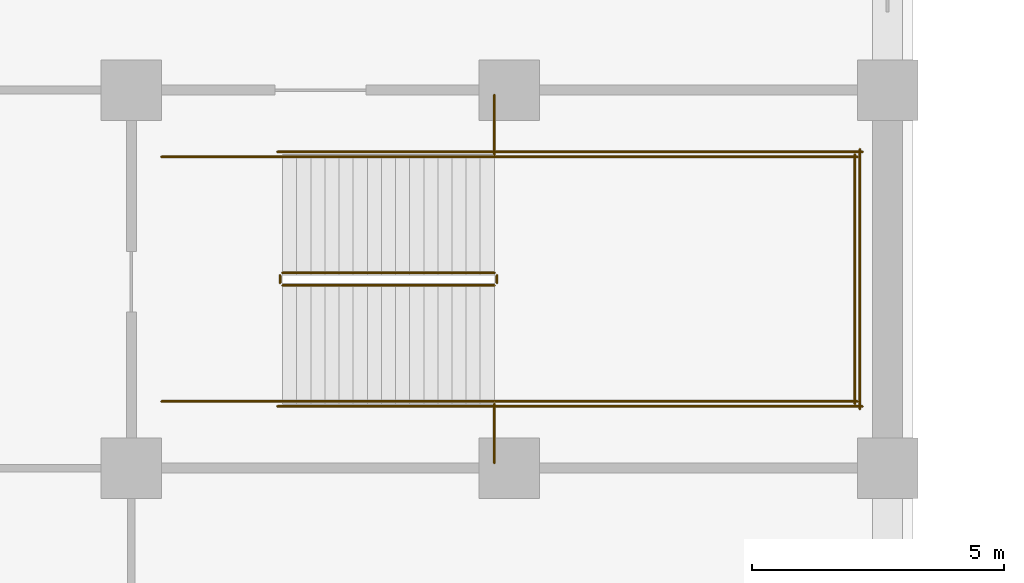
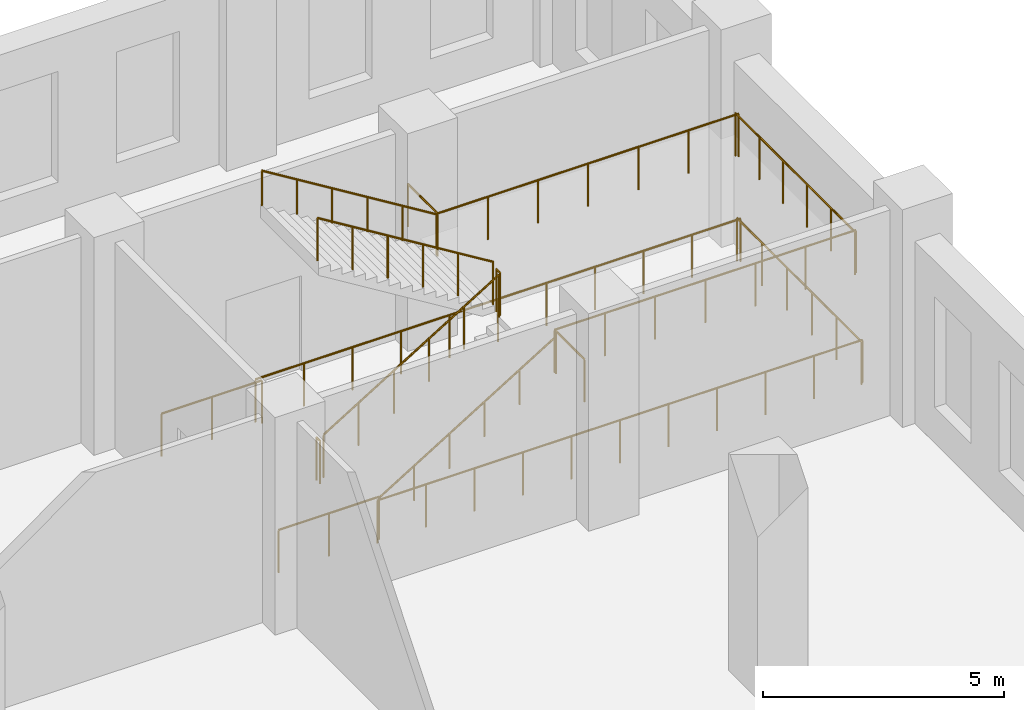
# One storey, part 24 of 25: 16 railings.
"""IFC4 building model written with IfcOpenShell, lengths in metres."""

from ifc_helpers import new_model, si_unit, direction, frame, origin, origin_2d, place, context, subcontext, project, spatial, circle, extrude, material, type_object, element, save


model = new_model("IFC4")

# Units and contexts
model_context = context("Model", 3, precision=1e-05, world=origin(), true_north=direction((0.0, 1.0)))
body_context = subcontext(model_context, "Body", "Model", "MODEL_VIEW")
ifc_project = project(units=[si_unit("LENGTHUNIT", "METRE"), si_unit("AREAUNIT", "SQUARE_METRE"), si_unit("VOLUMEUNIT", "CUBIC_METRE"), si_unit("PLANEANGLEUNIT", "RADIAN"), si_unit("MASSUNIT", "GRAM", prefix="KILO")], contexts=[model_context])

# Site, building, storey
site_placement = place(None, origin())
site = spatial("IfcSite", under=ifc_project, at=site_placement, CompositionType="ELEMENT")
building_placement = place(site_placement, origin())
building = spatial("IfcBuilding", under=site, at=building_placement, Name="Tamorin Gate", CompositionType="ELEMENT")
storey_placement = place(building_placement, frame((0.0, 0.0, 23.5)))
storey = spatial("IfcBuildingStorey", under=building, at=storey_placement, Name="L04", CompositionType="ELEMENT", Elevation=23.5)

# Railings
ifc_material = material(Name="Steel", Category="steel")
railing_type_1 = type_object("IfcRailingType", Name="Podium guard 1100", PredefinedType="GUARDRAIL", material=ifc_material)
railing_1_placement = place(storey_placement, frame((100.0, 100.625, 0.171875)))
element("IfcRailing", 1, at=railing_1_placement, inside=storey, type_object=railing_type_1, Name="L04 PS4 stair guard 1", PredefinedType="GUARDRAIL", context=body_context, shape_type="SweptSolid", body=[
    extrude(circle(Radius=0.02392578125, at=origin_2d()), frame((0.0, 0.0, 1.076171875), z_axis=(0.852242915053, 0.0, 0.523146264196), x_axis=(0.0, 1.0, 0.0)), (0.0, 0.0, 1.0), 4.92822265625),
    extrude(circle(Radius=0.02099609375, at=origin_2d()), origin(), (0.0, 0.0, 1.0), 1.052001953125),
    extrude(circle(Radius=0.02099609375, at=origin_2d()), frame((0.840087890625, 0.0, 0.515625)), (0.0, 0.0, 1.0), 1.052001953125),
    extrude(circle(Radius=0.02099609375, at=origin_2d()), frame((1.679931640625, 0.0, 1.03125)), (0.0, 0.0, 1.0), 1.052001953125),
    extrude(circle(Radius=0.02099609375, at=origin_2d()), frame((2.52001953125, 0.0, 1.546875)), (0.0, 0.0, 1.0), 1.052001953125),
    extrude(circle(Radius=0.02099609375, at=origin_2d()), frame((3.35986328125, 0.0, 2.0625)), (0.0, 0.0, 1.0), 1.052001953125),
    extrude(circle(Radius=0.02099609375, at=origin_2d()), frame((4.199951171875, 0.0, 2.578125)), (0.0, 0.0, 1.0), 1.052001953125),
])
railing_2_placement = place(storey_placement, frame((104.25, 100.675048828125, 2.75)))
element("IfcRailing", 2, at=railing_2_placement, inside=storey, type_object=railing_type_1, Name="L04 PS4 stair guard 2", PredefinedType="GUARDRAIL", context=body_context, shape_type="SweptSolid", body=[
    extrude(circle(Radius=0.02392578125, at=origin_2d()), frame((0.0, 0.0, 1.076171875), z_axis=(0.0, 1.0, 0.0), x_axis=(-1.0, 0.0, 0.0)), (0.0, 0.0, 1.0), 0.14990234375),
    extrude(circle(Radius=0.02099609375, at=origin_2d()), origin(), (0.0, 0.0, 1.0), 1.052001953125),
    extrude(circle(Radius=0.02099609375, at=origin_2d()), frame((0.0, 0.14990234375, 0.0)), (0.0, 0.0, 1.0), 1.052001953125),
])
for number, where, name in (
    (3, (104.199951171875, 98.324951171875, 2.75), "L04 PS4 stair guard 3"),
    (4, (104.199951171875, 103.175048828125, 2.75), "L04 PS4 stair guard 4"),
):
    element("IfcRailing", number, at=place(storey_placement, frame(where)), inside=storey, type_object=railing_type_1, Name=name, PredefinedType="GUARDRAIL", context=body_context, shape_type="SweptSolid", body=[
        extrude(circle(Radius=0.02392578125, at=origin_2d()), frame((0.0, 0.0, 1.076171875), z_axis=(1.0, 0.0, 0.0), x_axis=(0.0, 1.0, 0.0)), (0.0, 0.0, 1.0), 7.199951171875),
        extrude(circle(Radius=0.02099609375, at=origin_2d()), origin(), (0.0, 0.0, 1.0), 1.052001953125),
        extrude(circle(Radius=0.02099609375, at=origin_2d()), frame((1.199951171875, 0.0, 0.0)), (0.0, 0.0, 1.0), 1.052001953125),
        extrude(circle(Radius=0.02099609375, at=origin_2d()), frame((2.39990234375, 0.0, 0.0)), (0.0, 0.0, 1.0), 1.052001953125),
        extrude(circle(Radius=0.02099609375, at=origin_2d()), frame((3.60009765625, 0.0, 0.0)), (0.0, 0.0, 1.0), 1.052001953125),
        extrude(circle(Radius=0.02099609375, at=origin_2d()), frame((4.800048828125, 0.0, 0.0)), (0.0, 0.0, 1.0), 1.052001953125),
        extrude(circle(Radius=0.02099609375, at=origin_2d()), frame((6.0, 0.0, 0.0)), (0.0, 0.0, 1.0), 1.052001953125),
        extrude(circle(Radius=0.02099609375, at=origin_2d()), frame((7.199951171875, 0.0, 0.0)), (0.0, 0.0, 1.0), 1.052001953125),
    ])
railing_3_placement = place(storey_placement, frame((111.35009765625, 98.27490234375, 2.75)))
element("IfcRailing", 5, at=railing_3_placement, inside=storey, type_object=railing_type_1, Name="L04 PS4 stair guard 5", PredefinedType="GUARDRAIL", context=body_context, shape_type="SweptSolid", body=[
    extrude(circle(Radius=0.02392578125, at=origin_2d()), frame((0.0, 0.0, 1.076171875), z_axis=(0.0, 1.0, 0.0), x_axis=(-1.0, 0.0, 0.0)), (0.0, 0.0, 1.0), 4.9501953125),
    extrude(circle(Radius=0.02099609375, at=origin_2d()), origin(), (0.0, 0.0, 1.0), 1.052001953125),
    extrude(circle(Radius=0.02099609375, at=origin_2d()), frame((0.0, 0.989990234375, 0.0)), (0.0, 0.0, 1.0), 1.052001953125),
    extrude(circle(Radius=0.02099609375, at=origin_2d()), frame((0.0, 1.97998046875, 0.0)), (0.0, 0.0, 1.0), 1.052001953125),
    extrude(circle(Radius=0.02099609375, at=origin_2d()), frame((0.0, 2.97021484375, 0.0)), (0.0, 0.0, 1.0), 1.052001953125),
    extrude(circle(Radius=0.02099609375, at=origin_2d()), frame((0.0, 3.960205078125, 0.0)), (0.0, 0.0, 1.0), 1.052001953125),
    extrude(circle(Radius=0.02099609375, at=origin_2d()), frame((0.0, 4.9501953125, 0.0)), (0.0, 0.0, 1.0), 1.052001953125),
])
railing_4_placement = place(storey_placement, frame((104.199951171875, 100.875, 2.921875)))
element("IfcRailing", 6, at=railing_4_placement, inside=storey, type_object=railing_type_1, Name="L04 PS4 stair guard 6", PredefinedType="GUARDRAIL", context=body_context, shape_type="SweptSolid", body=[
    extrude(circle(Radius=0.02392578125, at=origin_2d()), frame((0.0, 0.0, 1.076171875), z_axis=(-0.852242915053, 0.0, 0.523146264196), x_axis=(0.0, -1.0, 0.0)), (0.0, 0.0, 1.0), 4.92822265625),
    extrude(circle(Radius=0.02099609375, at=origin_2d()), origin(), (0.0, 0.0, 1.0), 1.052001953125),
    extrude(circle(Radius=0.02099609375, at=origin_2d()), frame((-0.840087890625, 0.0, 0.515625)), (0.0, 0.0, 1.0), 1.052001953125),
    extrude(circle(Radius=0.02099609375, at=origin_2d()), frame((-1.679931640625, 0.0, 1.03125)), (0.0, 0.0, 1.0), 1.052001953125),
    extrude(circle(Radius=0.02099609375, at=origin_2d()), frame((-2.52001953125, 0.0, 1.546875)), (0.0, 0.0, 1.0), 1.052001953125),
    extrude(circle(Radius=0.02099609375, at=origin_2d()), frame((-3.35986328125, 0.0, 2.0625)), (0.0, 0.0, 1.0), 1.052001953125),
    extrude(circle(Radius=0.02099609375, at=origin_2d()), frame((-4.199951171875, 0.0, 2.578125)), (0.0, 0.0, 1.0), 1.052001953125),
])
railing_5_placement = place(storey_placement, frame((99.949951171875, 100.675048828125, 0.0)))
element("IfcRailing", 7, at=railing_5_placement, inside=storey, type_object=railing_type_1, Name="L04 PS4 stair guard 7", PredefinedType="GUARDRAIL", context=body_context, shape_type="SweptSolid", body=[
    extrude(circle(Radius=0.02392578125, at=origin_2d()), frame((0.0, 0.0, 1.076171875), z_axis=(0.0, 1.0, 0.0), x_axis=(-1.0, 0.0, 0.0)), (0.0, 0.0, 1.0), 0.14990234375),
    extrude(circle(Radius=0.02099609375, at=origin_2d()), origin(), (0.0, 0.0, 1.0), 1.052001953125),
    extrude(circle(Radius=0.02099609375, at=origin_2d()), frame((0.0, 0.14990234375, 0.0)), (0.0, 0.0, 1.0), 1.052001953125),
])
for number, where, name in (
    (8, (97.60009765625, 98.324951171875, 0.0), "L04 PS4 stair guard 8"),
    (9, (97.60009765625, 103.175048828125, 0.0), "L04 PS4 stair guard 9"),
):
    element("IfcRailing", number, at=place(storey_placement, frame(where)), inside=storey, type_object=railing_type_1, Name=name, PredefinedType="GUARDRAIL", context=body_context, shape_type="SweptSolid", body=[
        extrude(circle(Radius=0.02392578125, at=origin_2d()), frame((0.0, 0.0, 1.076171875), z_axis=(1.0, 0.0, 0.0), x_axis=(0.0, 1.0, 0.0)), (0.0, 0.0, 1.0), 2.39990234375),
        extrude(circle(Radius=0.02099609375, at=origin_2d()), origin(), (0.0, 0.0, 1.0), 1.052001953125),
        extrude(circle(Radius=0.02099609375, at=origin_2d()), frame((1.199951171875, 0.0, 0.0)), (0.0, 0.0, 1.0), 1.052001953125),
        extrude(circle(Radius=0.02099609375, at=origin_2d()), frame((2.39990234375, 0.0, 0.0)), (0.0, 0.0, 1.0), 1.052001953125),
    ])
for number, where, name in (
    (10, (99.89990234375, 98.22509765625, 0.0), "L04 PS4 stair guard 10"),
    (11, (99.89990234375, 103.27490234375, 0.0), "L04 PS4 stair guard 11"),
):
    element("IfcRailing", number, at=place(storey_placement, frame(where)), inside=storey, type_object=railing_type_1, Name=name, PredefinedType="GUARDRAIL", context=body_context, shape_type="SweptSolid", body=[
        extrude(circle(Radius=0.02392578125, at=origin_2d()), frame((0.0, 0.0, 1.076171875), z_axis=(1.0, 0.0, 0.0), x_axis=(0.0, 1.0, 0.0)), (0.0, 0.0, 1.0), 11.60009765625),
        extrude(circle(Radius=0.02099609375, at=origin_2d()), origin(), (0.0, 0.0, 1.0), 1.052001953125),
        extrude(circle(Radius=0.02099609375, at=origin_2d()), frame((1.159912109375, 0.0, 0.0)), (0.0, 0.0, 1.0), 1.052001953125),
        extrude(circle(Radius=0.02099609375, at=origin_2d()), frame((2.320068359375, 0.0, 0.0)), (0.0, 0.0, 1.0), 1.052001953125),
        extrude(circle(Radius=0.02099609375, at=origin_2d()), frame((3.47998046875, 0.0, 0.0)), (0.0, 0.0, 1.0), 1.052001953125),
        extrude(circle(Radius=0.02099609375, at=origin_2d()), frame((4.64013671875, 0.0, 0.0)), (0.0, 0.0, 1.0), 1.052001953125),
        extrude(circle(Radius=0.02099609375, at=origin_2d()), frame((5.800048828125, 0.0, 0.0)), (0.0, 0.0, 1.0), 1.052001953125),
        extrude(circle(Radius=0.02099609375, at=origin_2d()), frame((6.9599609375, 0.0, 0.0)), (0.0, 0.0, 1.0), 1.052001953125),
        extrude(circle(Radius=0.02099609375, at=origin_2d()), frame((8.1201171875, 0.0, 0.0)), (0.0, 0.0, 1.0), 1.052001953125),
        extrude(circle(Radius=0.02099609375, at=origin_2d()), frame((9.280029296875, 0.0, 0.0)), (0.0, 0.0, 1.0), 1.052001953125),
        extrude(circle(Radius=0.02099609375, at=origin_2d()), frame((10.440185546875, 0.0, 0.0)), (0.0, 0.0, 1.0), 1.052001953125),
        extrude(circle(Radius=0.02099609375, at=origin_2d()), frame((11.60009765625, 0.0, 0.0)), (0.0, 0.0, 1.0), 1.052001953125),
    ])
railing_6_placement = place(storey_placement, frame((111.449951171875, 98.175048828125, 0.0)))
element("IfcRailing", 12, at=railing_6_placement, inside=storey, type_object=railing_type_1, Name="L04 PS4 stair guard 12", PredefinedType="GUARDRAIL", context=body_context, shape_type="SweptSolid", body=[
    extrude(circle(Radius=0.02392578125, at=origin_2d()), frame((0.0, 0.0, 1.076171875), z_axis=(0.0, 1.0, 0.0), x_axis=(-1.0, 0.0, 0.0)), (0.0, 0.0, 1.0), 5.14990234375),
    extrude(circle(Radius=0.02099609375, at=origin_2d()), origin(), (0.0, 0.0, 1.0), 1.052001953125),
    extrude(circle(Radius=0.02099609375, at=origin_2d()), frame((0.0, 1.030029296875, 0.0)), (0.0, 0.0, 1.0), 1.052001953125),
    extrude(circle(Radius=0.02099609375, at=origin_2d()), frame((0.0, 2.06005859375, 0.0)), (0.0, 0.0, 1.0), 1.052001953125),
    extrude(circle(Radius=0.02099609375, at=origin_2d()), frame((0.0, 3.08984375, 0.0)), (0.0, 0.0, 1.0), 1.052001953125),
    extrude(circle(Radius=0.02099609375, at=origin_2d()), frame((0.0, 4.119873046875, 0.0)), (0.0, 0.0, 1.0), 1.052001953125),
    extrude(circle(Radius=0.02099609375, at=origin_2d()), frame((0.0, 5.14990234375, 0.0)), (0.0, 0.0, 1.0), 1.052001953125),
])
for number, where, name in (
    (13, (104.199951171875, 97.10009765625, 2.75), "Landing edge guard"),
    (14, (104.199951171875, 103.22509765625, 2.75), "Landing edge guard"),
):
    element("IfcRailing", number, at=place(storey_placement, frame(where)), inside=storey, type_object=railing_type_1, Name=name, PredefinedType="GUARDRAIL", context=body_context, shape_type="SweptSolid", body=[
        extrude(circle(Radius=0.02392578125, at=origin_2d()), frame((0.0, 0.0, 1.076171875), z_axis=(0.0, 1.0, 0.0), x_axis=(-1.0, 0.0, 0.0)), (0.0, 0.0, 1.0), 1.1748046875),
        extrude(circle(Radius=0.02099609375, at=origin_2d()), origin(), (0.0, 0.0, 1.0), 1.052001953125),
        extrude(circle(Radius=0.02099609375, at=origin_2d()), frame((0.0, 1.1748046875, 0.0)), (0.0, 0.0, 1.0), 1.052001953125),
    ])
railing_type_2 = type_object("IfcRailingType", Name="Podium stair handrail 900", PredefinedType="HANDRAIL", material=ifc_material)
railing_7_placement = place(storey_placement, frame((100.0, 98.324951171875, 0.171875)))
element("IfcRailing", 15, at=railing_7_placement, inside=storey, type_object=railing_type_2, Name="L04 PS4 stair handrail 1", PredefinedType="HANDRAIL", context=body_context, shape_type="SweptSolid", body=[
    extrude(circle(Radius=0.02392578125, at=origin_2d()), frame((0.0, 0.0, 0.8759765625), z_axis=(0.852242915053, 0.0, 0.523146264196), x_axis=(0.0, 1.0, 0.0)), (0.0, 0.0, 1.0), 4.92822265625),
    extrude(circle(Radius=0.02099609375, at=origin_2d()), origin(), (0.0, 0.0, 1.0), 0.851806640625),
    extrude(circle(Radius=0.02099609375, at=origin_2d()), frame((0.840087890625, 0.0, 0.515625)), (0.0, 0.0, 1.0), 0.851806640625),
    extrude(circle(Radius=0.02099609375, at=origin_2d()), frame((1.679931640625, 0.0, 1.03125)), (0.0, 0.0, 1.0), 0.851806640625),
    extrude(circle(Radius=0.02099609375, at=origin_2d()), frame((2.52001953125, 0.0, 1.546875)), (0.0, 0.0, 1.0), 0.851806640625),
    extrude(circle(Radius=0.02099609375, at=origin_2d()), frame((3.35986328125, 0.0, 2.0625)), (0.0, 0.0, 1.0), 0.851806640625),
    extrude(circle(Radius=0.02099609375, at=origin_2d()), frame((4.199951171875, 0.0, 2.578125)), (0.0, 0.0, 1.0), 0.851806640625),
])
railing_8_placement = place(storey_placement, frame((104.199951171875, 103.175048828125, 2.921875)))
element("IfcRailing", 16, at=railing_8_placement, inside=storey, type_object=railing_type_2, Name="L04 PS4 stair handrail 2", PredefinedType="HANDRAIL", context=body_context, shape_type="SweptSolid", body=[
    extrude(circle(Radius=0.02392578125, at=origin_2d()), frame((0.0, 0.0, 0.8759765625), z_axis=(-0.852242915053, 0.0, 0.523146264196), x_axis=(0.0, -1.0, 0.0)), (0.0, 0.0, 1.0), 4.92822265625),
    extrude(circle(Radius=0.02099609375, at=origin_2d()), origin(), (0.0, 0.0, 1.0), 0.851806640625),
    extrude(circle(Radius=0.02099609375, at=origin_2d()), frame((-0.840087890625, 0.0, 0.515625)), (0.0, 0.0, 1.0), 0.851806640625),
    extrude(circle(Radius=0.02099609375, at=origin_2d()), frame((-1.679931640625, 0.0, 1.03125)), (0.0, 0.0, 1.0), 0.851806640625),
    extrude(circle(Radius=0.02099609375, at=origin_2d()), frame((-2.52001953125, 0.0, 1.546875)), (0.0, 0.0, 1.0), 0.851806640625),
    extrude(circle(Radius=0.02099609375, at=origin_2d()), frame((-3.35986328125, 0.0, 2.0625)), (0.0, 0.0, 1.0), 0.851806640625),
    extrude(circle(Radius=0.02099609375, at=origin_2d()), frame((-4.199951171875, 0.0, 2.578125)), (0.0, 0.0, 1.0), 0.851806640625),
])

save(model, "model.ifc")
